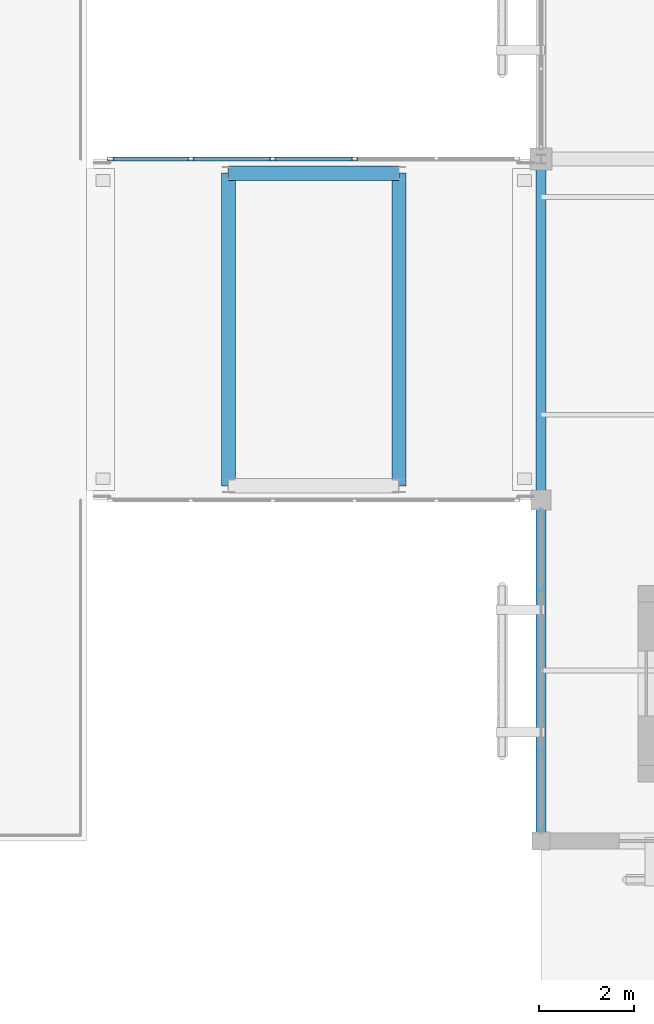
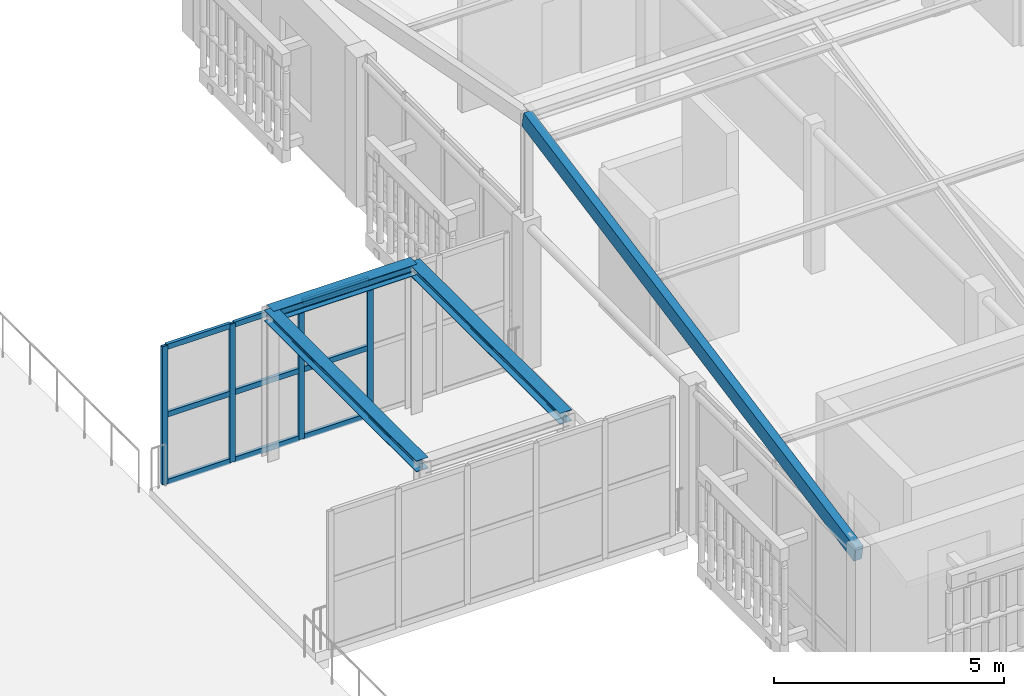
# One storey, part 41 of 112: 14 members, 3 beams, 1 element without a shape of its own.
"""IFC4 building model written with IfcOpenShell, lengths in metres."""

import ifcopenshell
import ifcopenshell.guid

model = None  # the IFC model being written
_history = None  # IfcOwnerHistory: only IFC2X3 demands one
_inside = {}  # id of a spatial element -> (the spatial element, [elements in it])
_under = {}  # id of a project, library or spatial element -> (it, [spatial elements below it])
_declared = {}  # id of a project -> (the project, [libraries it declares])
_typed = {}  # id of a type object -> (the type object, [elements of that type])
_made_of = {}  # id of a material, layer set ... -> (it, [elements and type objects made of it])


def new_model(schema):
    """Start an empty IFC model of exactly this schema.

    Asked for "IFC4X3", IfcOpenShell would pick the latest addendum, in which some entities
    have other attributes; the version numbers below select the first issue.
    IFC2X3 requires an IfcOwnerHistory on every rooted entity: one is made here for all.
    """
    global model, _history
    if schema == "IFC4X3":
        model = ifcopenshell.file(schema_version=(4, 3, 0, 0))
    else:
        model = ifcopenshell.file(schema=schema)
    _inside.clear()
    _under.clear()
    _declared.clear()
    _typed.clear()
    _made_of.clear()
    _history = None
    if model.schema == "IFC2X3":
        org = make("IfcOrganization", Name="unknown")
        user = make(
            "IfcPersonAndOrganization",
            ThePerson=make("IfcPerson", FamilyName="unknown"),
            TheOrganization=org,
        )
        app = make(
            "IfcApplication",
            ApplicationDeveloper=org,
            Version="unknown",
            ApplicationFullName="unknown",
            ApplicationIdentifier="unknown",
        )
        _history = make(
            "IfcOwnerHistory",
            OwningUser=user,
            OwningApplication=app,
            ChangeAction="ADDED",
            CreationDate=0,
        )
    return model


def make(cls, **values):
    """One entity of the class cls with the attributes given. An attribute that is None is left unset."""
    return model.create_entity(
        cls, **{name: value for name, value in values.items() if value is not None}
    )


def rooted(cls, **values):
    """An entity with a GlobalId (a new one), such as an element, a storey or a relation."""
    return make(cls, GlobalId=ifcopenshell.guid.new(), OwnerHistory=_history, **values)


def si_unit(unit_type, name, prefix=None):
    """IfcSIUnit, for example si_unit("LENGTHUNIT", "METRE", prefix="MILLI")."""
    return make("IfcSIUnit", UnitType=unit_type, Prefix=prefix, Name=name)


def assignment(units):
    """IfcUnitAssignment: the units of a project."""
    return None if units is None else make("IfcUnitAssignment", Units=units)


def point(xyz):
    """IfcCartesianPoint."""
    return None if xyz is None else make("IfcCartesianPoint", Coordinates=xyz)


def direction(xyz):
    """IfcDirection."""
    return None if xyz is None else make("IfcDirection", DirectionRatios=xyz)


def frame(location, z_axis=None, x_axis=None):
    """IfcAxis2Placement3D, a coordinate frame: its origin and axes. An axis left out is left unset."""
    return make(
        "IfcAxis2Placement3D",
        Location=point(location),
        Axis=direction(z_axis),
        RefDirection=direction(x_axis),
    )


def frame_2d(location, x_axis=None):
    """IfcAxis2Placement2D, a coordinate frame in the plane: its origin and x axis."""
    return make(
        "IfcAxis2Placement2D", Location=point(location), RefDirection=direction(x_axis)
    )


def origin():
    """The frame at (0, 0, 0) with its axes left unset."""
    return frame((0.0, 0.0, 0.0))


def origin_2d():
    """The frame at (0, 0) in the plane with its x axis left unset."""
    return frame_2d((0.0, 0.0))


def place(relative_to, where):
    """IfcLocalPlacement: puts the frame where relative to a parent placement (None: the world)."""
    return make(
        "IfcLocalPlacement", PlacementRelTo=relative_to, RelativePlacement=where
    )


def context(
    kind, dimensions, precision=None, world=None, true_north=None, identifier=None
):
    """IfcGeometricRepresentationContext, for example the 3D "Model" context."""
    return make(
        "IfcGeometricRepresentationContext",
        ContextIdentifier=identifier,
        ContextType=kind,
        CoordinateSpaceDimension=dimensions,
        Precision=precision,
        WorldCoordinateSystem=world,
        TrueNorth=true_north,
    )


def subcontext(parent, identifier, kind, view, scale=None):
    """IfcGeometricRepresentationSubContext, for example "Body" below "Model"."""
    return make(
        "IfcGeometricRepresentationSubContext",
        ContextIdentifier=identifier,
        ContextType=kind,
        ParentContext=parent,
        TargetScale=scale,
        TargetView=view,
    )


def project(units=None, contexts=None):
    """IfcProject with its units and contexts."""
    return rooted(
        "IfcProject",
        Name="project",
        RepresentationContexts=contexts,
        UnitsInContext=assignment(units),
    )


def spatial(cls, under=None, at=None, **own):
    """A site, building, storey or space (cls), placed at a placement, below another one or the project."""
    s = rooted(cls, ObjectPlacement=at, **own)
    if under is not None:
        _under.setdefault(under.id(), (under, []))[1].append(s)
    return s


def profile(cls, at=None, kind="AREA", **sizes):
    """A parametric profile (cls). Its sizes go by their IFC names, for example OverallWidth=200.0."""
    return make(cls, ProfileType=kind, Position=at, **sizes)


def rectangle(**sizes):
    """IfcRectangleProfileDef."""
    return profile("IfcRectangleProfileDef", **sizes)


def hollow_rectangle(**sizes):
    """IfcRectangleHollowProfileDef."""
    return profile("IfcRectangleHollowProfileDef", **sizes)


def i_section(**sizes):
    """IfcIShapeProfileDef."""
    return profile("IfcIShapeProfileDef", **sizes)


def extrude(swept, where, along, depth):
    """IfcExtrudedAreaSolid: the profile swept, set in the frame where, extruded along a direction by depth."""
    return make(
        "IfcExtrudedAreaSolid",
        SweptArea=swept,
        Position=where,
        ExtrudedDirection=direction(along),
        Depth=depth,
    )


def shape(context_of_items, identifier, shape_type, items):
    """IfcShapeRepresentation: the items that make up one representation, for example the "Body"."""
    return make(
        "IfcShapeRepresentation",
        ContextOfItems=context_of_items,
        RepresentationIdentifier=identifier,
        RepresentationType=shape_type,
        Items=items,
    )


def material(Name=None, Category=None):
    """IfcMaterial."""
    return make("IfcMaterial", Name=Name, Category=Category)


def layer(
    of_material, thickness, ventilated=None, Name=None, Category=None, Priority=None
):
    """IfcMaterialLayer: one layer of a wall or slab, of a material (None: an air gap)."""
    return make(
        "IfcMaterialLayer",
        Material=of_material,
        LayerThickness=thickness,
        IsVentilated=ventilated,
        Name=Name,
        Category=Category,
        Priority=Priority,
    )


def layer_set(layers, Name=None):
    """IfcMaterialLayerSet."""
    return make("IfcMaterialLayerSet", MaterialLayers=layers, LayerSetName=Name)


def material_profile(
    of_material, cross_section, Name=None, Category=None, Priority=None
):
    """IfcMaterialProfile: a cross section and its material."""
    return make(
        "IfcMaterialProfile",
        Name=Name,
        Material=of_material,
        Profile=cross_section,
        Priority=Priority,
        Category=Category,
    )


def profile_set(profiles, Name=None, composite=None):
    """IfcMaterialProfileSet."""
    return make(
        "IfcMaterialProfileSet",
        Name=Name,
        MaterialProfiles=profiles,
        CompositeProfile=composite,
    )


def made_of(thing, what):
    """Note that an element or type object is made of a material, layer set ...; save() writes the relation."""
    if what is not None:
        _made_of.setdefault(what.id(), (what, []))[1].append(thing)
    return thing


def type_object(cls, material=None, **own):
    """A type object (cls), such as IfcWallType, which elements share."""
    return made_of(rooted(cls, **own), material)


def element(
    cls,
    number,
    at=None,
    inside=None,
    cuts=None,
    type_object=None,
    material=None,
    context=None,
    identifier="Body",
    shape_type=None,
    held_by="IfcProductDefinitionShape",
    body=None,
    shapes=None,
    **own,
):
    """One element of the class cls, such as IfcWall. Its Tag is "e" and its number.

    at: its placement. inside: the storey or other place that contains it. cuts: it is an
    opening in that element (IfcRelVoidsElement). A single representation is given by context,
    identifier, shape_type and body (its items); several are given by shapes. held_by: the class
    of the entity that holds the representations. save() writes the other relations.
    """
    e = rooted(cls, Tag="e%d" % number, ObjectPlacement=at, **own)
    if body is not None:
        shapes = [shape(context, identifier, shape_type, body)]
    if shapes is not None:
        e.Representation = make(held_by, Representations=shapes)
    if inside is not None:
        _inside.setdefault(inside.id(), (inside, []))[1].append(e)
    if cuts is not None:
        rooted(
            "IfcRelVoidsElement", RelatingBuildingElement=cuts, RelatedOpeningElement=e
        )
    if type_object is not None:
        _typed.setdefault(type_object.id(), (type_object, []))[1].append(e)
    return made_of(e, material)


def aggregate(whole, parts):
    """IfcRelAggregates: a whole, such as a stair, and the parts it consists of."""
    return rooted("IfcRelAggregates", RelatingObject=whole, RelatedObjects=parts)


def save(model, path):
    """Write the relations noted so far, then the file.

    IfcRelAggregates (storeys below a building ...), IfcRelContainedInSpatialStructure (elements
    in a storey), IfcRelDefinesByType, IfcRelAssociatesMaterial and IfcRelDeclares: one each for
    every whole, place, type object, material and project.
    """
    for whole, parts in _under.values():
        aggregate(whole, parts)
    for where, things in _inside.values():
        rooted(
            "IfcRelContainedInSpatialStructure",
            RelatedElements=things,
            RelatingStructure=where,
        )
    for kind, things in _typed.values():
        rooted("IfcRelDefinesByType", RelatedObjects=things, RelatingType=kind)
    for what, things in _made_of.values():
        rooted("IfcRelAssociatesMaterial", RelatedObjects=things, RelatingMaterial=what)
    for by, libraries in _declared.values():
        rooted("IfcRelDeclares", RelatingContext=by, RelatedDefinitions=libraries)
    model.write(path)


model = new_model("IFC4")

# Units and contexts
model_context = context("Model", 3, precision=1e-05, world=origin(), true_north=direction((0.0, 1.0)))
body_context = subcontext(model_context, "Body", "Model", "MODEL_VIEW")
ifc_project = project(units=[si_unit("LENGTHUNIT", "METRE"), si_unit("AREAUNIT", "SQUARE_METRE"), si_unit("VOLUMEUNIT", "CUBIC_METRE"), si_unit("PLANEANGLEUNIT", "RADIAN"), si_unit("MASSUNIT", "GRAM", prefix="KILO")], contexts=[model_context])

# Site, building, storey
site_placement = place(None, origin())
site = spatial("IfcSite", under=ifc_project, at=site_placement, CompositionType="ELEMENT")
building_placement = place(site_placement, origin())
building = spatial("IfcBuilding", under=site, at=building_placement, Name="Mazaris Harbour Polytechnic", CompositionType="ELEMENT")
storey_placement = place(building_placement, frame((0.0, 0.0, 13.800048828125)))
storey = spatial("IfcBuildingStorey", under=building, at=storey_placement, Name="L03", CompositionType="ELEMENT", Elevation=13.800048828125)

# Curtain wall, members
ifc_material_1 = material(Name="Anodised Bronze Aluminium and Low-E Glass", Category="aluminium")
ifc_layer = layer(ifc_material_1, 0.139892578125, Name="Anodised Bronze Aluminium and Low-E Glass")
ifc_layer_set = layer_set([ifc_layer], Name="Anodised Bronze Aluminium and Low-E Glass")
curtain_wall_type = type_object("IfcCurtainWallType", Name="Seismic Link Bridge Glazing", PredefinedType="NOTDEFINED", material=ifc_layer_set)
curtain_wall_placement = place(storey_placement, origin())
curtain_wall = element("IfcCurtainWall", 1, at=curtain_wall_placement, inside=storey, type_object=curtain_wall_type, Name="PB-E1 L03 Bridge Glazing", PredefinedType="NOTDEFINED")
ifc_material_2 = material(Name="Anodised Bronze Steel S355", Category="steel")
ifc_material_profile_1 = material_profile(ifc_material_2, hollow_rectangle(XDim=0.080078125, YDim=0.139892578125, WallThickness=0.00634765625, at=origin_2d()), Name="RHS 80x140x6.3")
ifc_profile_set_1 = profile_set([ifc_material_profile_1], Name="Anodised Bronze Steel S355")
member_type_1 = type_object("IfcMemberType", Name="Curtain Mullion RHS80x140", PredefinedType="MULLION", material=ifc_profile_set_1)
member_1_placement = place(storey_placement, frame((118.464111328125, 28.800048828125, 0.0), z_axis=(0.0, 0.0, 1.0), x_axis=(0.0, -1.0, 0.0)))
member_1 = element("IfcMember", 2, at=member_1_placement, type_object=member_type_1, Name="CW-05 mullion 3", PredefinedType="MULLION", context=body_context, shape_type="SweptSolid", body=[
    extrude(hollow_rectangle(XDim=0.080078125, YDim=0.139892578125, WallThickness=0.00634765625, at=origin_2d()), origin(), (0.0, 0.0, 1.0), 3.659912109375),
])
member_2_placement = place(storey_placement, frame((116.736083984375, 28.800048828125, 0.0), z_axis=(0.0, 0.0, 1.0), x_axis=(0.0, -1.0, 0.0)))
member_2 = element("IfcMember", 3, at=member_2_placement, type_object=member_type_1, Name="CW-05 mullion 4", PredefinedType="MULLION", context=body_context, shape_type="SweptSolid", body=[
    extrude(hollow_rectangle(XDim=0.080078125, YDim=0.139892578125, WallThickness=0.00634765625, at=origin_2d()), origin(), (0.0, 0.0, 1.0), 3.659912109375),
])
member_3_placement = place(storey_placement, frame((115.008056640625, 28.800048828125, 0.0), z_axis=(0.0, 0.0, 1.0), x_axis=(0.0, -1.0, 0.0)))
member_3 = element("IfcMember", 4, at=member_3_placement, type_object=member_type_1, Name="CW-05 mullion 5", PredefinedType="MULLION", context=body_context, shape_type="SweptSolid", body=[
    extrude(hollow_rectangle(XDim=0.080078125, YDim=0.139892578125, WallThickness=0.00634765625, at=origin_2d()), origin(), (0.0, 0.0, 1.0), 3.659912109375),
])
member_4_placement = place(storey_placement, frame((113.320068359375, 28.800048828125, 0.0), z_axis=(0.0, 0.0, 1.0), x_axis=(0.0, -1.0, 0.0)))
member_4 = element("IfcMember", 5, at=member_4_placement, type_object=member_type_1, Name="CW-05 mullion 6", PredefinedType="MULLION", context=body_context, shape_type="SweptSolid", body=[
    extrude(hollow_rectangle(XDim=0.080078125, YDim=0.139892578125, WallThickness=0.00634765625, at=origin_2d()), origin(), (0.0, 0.0, 1.0), 3.659912109375),
])
ifc_material_3 = material(Name="Anodised Bronze Steel S355", Category="steel")
ifc_material_profile_2 = material_profile(ifc_material_3, hollow_rectangle(XDim=0.080078125, YDim=0.139892578125, WallThickness=0.00634765625, at=origin_2d()), Name="RHS 80x140x6.3")
ifc_profile_set_2 = profile_set([ifc_material_profile_2], Name="Anodised Bronze Steel S355")
member_type_2 = type_object("IfcMemberType", Name="Curtain Transom RHS80x140", PredefinedType="USERDEFINED", material=ifc_profile_set_2)
member_5_placement = place(storey_placement, frame((118.424072265625, 28.800048828125, 0.0400390625), z_axis=(-1.0, 0.0, 0.0), x_axis=(0.0, -1.0, 0.0)))
member_5 = element("IfcMember", 6, at=member_5_placement, type_object=member_type_2, Name="CW-05 transom 3.1", ObjectType="TRANSOM", PredefinedType="USERDEFINED", context=body_context, shape_type="SweptSolid", body=[
    extrude(hollow_rectangle(XDim=0.080078125, YDim=0.139892578125, WallThickness=0.00634765625, at=origin_2d()), origin(), (0.0, 0.0, 1.0), 1.648193359375),
])
member_6_placement = place(storey_placement, frame((118.424072265625, 28.800048828125, 1.829833984375), z_axis=(-1.0, 0.0, 0.0), x_axis=(0.0, -1.0, 0.0)))
member_6 = element("IfcMember", 7, at=member_6_placement, type_object=member_type_2, Name="CW-05 transom 3.2", ObjectType="TRANSOM", PredefinedType="USERDEFINED", context=body_context, shape_type="SweptSolid", body=[
    extrude(hollow_rectangle(XDim=0.080078125, YDim=0.139892578125, WallThickness=0.00634765625, at=origin_2d()), origin(), (0.0, 0.0, 1.0), 1.648193359375),
])
member_7_placement = place(storey_placement, frame((118.424072265625, 28.800048828125, 3.619873046875), z_axis=(-1.0, 0.0, 0.0), x_axis=(0.0, -1.0, 0.0)))
member_7 = element("IfcMember", 8, at=member_7_placement, type_object=member_type_2, Name="CW-05 transom 3.3", ObjectType="TRANSOM", PredefinedType="USERDEFINED", context=body_context, shape_type="SweptSolid", body=[
    extrude(hollow_rectangle(XDim=0.080078125, YDim=0.139892578125, WallThickness=0.00634765625, at=origin_2d()), origin(), (0.0, 0.0, 1.0), 1.648193359375),
])
member_8_placement = place(storey_placement, frame((116.696044921875, 28.800048828125, 0.0400390625), z_axis=(-1.0, 0.0, 0.0), x_axis=(0.0, -1.0, 0.0)))
member_8 = element("IfcMember", 9, at=member_8_placement, type_object=member_type_2, Name="CW-05 transom 4.1", ObjectType="TRANSOM", PredefinedType="USERDEFINED", context=body_context, shape_type="SweptSolid", body=[
    extrude(hollow_rectangle(XDim=0.080078125, YDim=0.139892578125, WallThickness=0.00634765625, at=origin_2d()), origin(), (0.0, 0.0, 1.0), 1.64794921875),
])
member_9_placement = place(storey_placement, frame((116.696044921875, 28.800048828125, 1.829833984375), z_axis=(-1.0, 0.0, 0.0), x_axis=(0.0, -1.0, 0.0)))
member_9 = element("IfcMember", 10, at=member_9_placement, type_object=member_type_2, Name="CW-05 transom 4.2", ObjectType="TRANSOM", PredefinedType="USERDEFINED", context=body_context, shape_type="SweptSolid", body=[
    extrude(hollow_rectangle(XDim=0.080078125, YDim=0.139892578125, WallThickness=0.00634765625, at=origin_2d()), origin(), (0.0, 0.0, 1.0), 1.64794921875),
])
member_10_placement = place(storey_placement, frame((116.696044921875, 28.800048828125, 3.619873046875), z_axis=(-1.0, 0.0, 0.0), x_axis=(0.0, -1.0, 0.0)))
member_10 = element("IfcMember", 11, at=member_10_placement, type_object=member_type_2, Name="CW-05 transom 4.3", ObjectType="TRANSOM", PredefinedType="USERDEFINED", context=body_context, shape_type="SweptSolid", body=[
    extrude(hollow_rectangle(XDim=0.080078125, YDim=0.139892578125, WallThickness=0.00634765625, at=origin_2d()), origin(), (0.0, 0.0, 1.0), 1.64794921875),
])
member_11_placement = place(storey_placement, frame((114.968017578125, 28.800048828125, 0.0400390625), z_axis=(-1.0, 0.0, 0.0), x_axis=(0.0, -1.0, 0.0)))
member_11 = element("IfcMember", 12, at=member_11_placement, type_object=member_type_2, Name="CW-05 transom 5.1", ObjectType="TRANSOM", PredefinedType="USERDEFINED", context=body_context, shape_type="SweptSolid", body=[
    extrude(hollow_rectangle(XDim=0.080078125, YDim=0.139892578125, WallThickness=0.00634765625, at=origin_2d()), origin(), (0.0, 0.0, 1.0), 1.60791015625),
])
member_12_placement = place(storey_placement, frame((114.968017578125, 28.800048828125, 1.829833984375), z_axis=(-1.0, 0.0, 0.0), x_axis=(0.0, -1.0, 0.0)))
member_12 = element("IfcMember", 13, at=member_12_placement, type_object=member_type_2, Name="CW-05 transom 5.2", ObjectType="TRANSOM", PredefinedType="USERDEFINED", context=body_context, shape_type="SweptSolid", body=[
    extrude(hollow_rectangle(XDim=0.080078125, YDim=0.139892578125, WallThickness=0.00634765625, at=origin_2d()), origin(), (0.0, 0.0, 1.0), 1.60791015625),
])
member_13_placement = place(storey_placement, frame((114.968017578125, 28.800048828125, 3.619873046875), z_axis=(-1.0, 0.0, 0.0), x_axis=(0.0, -1.0, 0.0)))
member_13 = element("IfcMember", 14, at=member_13_placement, type_object=member_type_2, Name="CW-05 transom 5.3", ObjectType="TRANSOM", PredefinedType="USERDEFINED", context=body_context, shape_type="SweptSolid", body=[
    extrude(hollow_rectangle(XDim=0.080078125, YDim=0.139892578125, WallThickness=0.00634765625, at=origin_2d()), origin(), (0.0, 0.0, 1.0), 1.60791015625),
])
aggregate(curtain_wall, [member_1, member_2, member_3, member_4, member_5, member_6, member_7, member_8, member_9, member_10, member_11, member_12, member_13])

# Member
ifc_material_4 = material(Name="Glulam GL28h", Category="wood")
ifc_material_profile_3 = material_profile(ifc_material_4, rectangle(XDim=0.199951171875, YDim=0.39990234375, at=origin_2d()), Name="RECT200x400")
ifc_profile_set_3 = profile_set([ifc_material_profile_3], Name="Glulam GL28h")
member_type_3 = type_object("IfcMemberType", Name="Glulam Roof Rafter 200x400", PredefinedType="RAFTER", material=ifc_profile_set_3)
member_14_placement = place(storey_placement, frame((122.39990234375, 14.39990234375, 3.699951171875), z_axis=(0.0, 0.981615129824, 0.190870995439), x_axis=(-1.0, 0.0, 0.0)))
element("IfcMember", 15, at=member_14_placement, inside=storey, type_object=member_type_3, Name="V2 Pavilion South Rafter 1", PredefinedType="RAFTER", context=body_context, shape_type="SweptSolid", body=[
    extrude(rectangle(XDim=0.199951171875, YDim=0.39990234375, at=origin_2d()), origin(), (0.0, 0.0, 1.0), 14.669921875),
])

# Beams
ifc_material_5 = material(Name="Steel S355", Category="steel")
ifc_material_profile_4 = material_profile(ifc_material_5, i_section(OverallWidth=0.300048828125, OverallDepth=0.2900390625, WebThickness=0.008544921875, FlangeThickness=0.013916015625, FilletRadius=0.027099609375, at=origin_2d()), Name="HEA 300")
ifc_profile_set_4 = profile_set([ifc_material_profile_4], Name="Steel S355")
beam_type = type_object("IfcBeamType", Name="Steel Beam HEA300 Exterior", PredefinedType="SPANDREL", material=ifc_profile_set_4)
for number, where, z_axis, x_axis, name in (
    (16, (115.800048828125, 21.89990234375, 3.81494140625), (0.0, 1.0, 0.0), (-1.0, 0.0, 0.0), "PB-E1 L03 Bridge Beam 3452"),
    (17, (119.39990234375, 21.89990234375, 3.81494140625), (0.0, 1.0, 0.0), (-1.0, 0.0, 0.0), "PB-E1 L03 Bridge Beam 3453"),
):
    element("IfcBeam", number, at=place(storey_placement, frame(where, z_axis=z_axis, x_axis=x_axis)), inside=storey, type_object=beam_type, Name=name, PredefinedType="SPANDREL", context=body_context, shape_type="SweptSolid", body=[
        extrude(i_section(OverallWidth=0.300048828125, OverallDepth=0.2900390625, WebThickness=0.008544921875, FlangeThickness=0.013916015625, FilletRadius=0.027099609375, at=origin_2d()), origin(), (0.0, 0.0, 1.0), 6.60009765625),
    ])
beam_placement = place(storey_placement, frame((115.800048828125, 28.5, 3.81494140625), z_axis=(1.0, 0.0, 0.0), x_axis=(0.0, 1.0, 0.0)))
element("IfcBeam", 18, at=beam_placement, inside=storey, type_object=beam_type, Name="PB-E1 L03 Bridge Beam 3454", PredefinedType="SPANDREL", context=body_context, shape_type="SweptSolid", body=[
    extrude(i_section(OverallWidth=0.300048828125, OverallDepth=0.2900390625, WebThickness=0.008544921875, FlangeThickness=0.013916015625, FilletRadius=0.027099609375, at=origin_2d()), origin(), (0.0, 0.0, 1.0), 3.599853515625),
])

save(model, "model.ifc")
